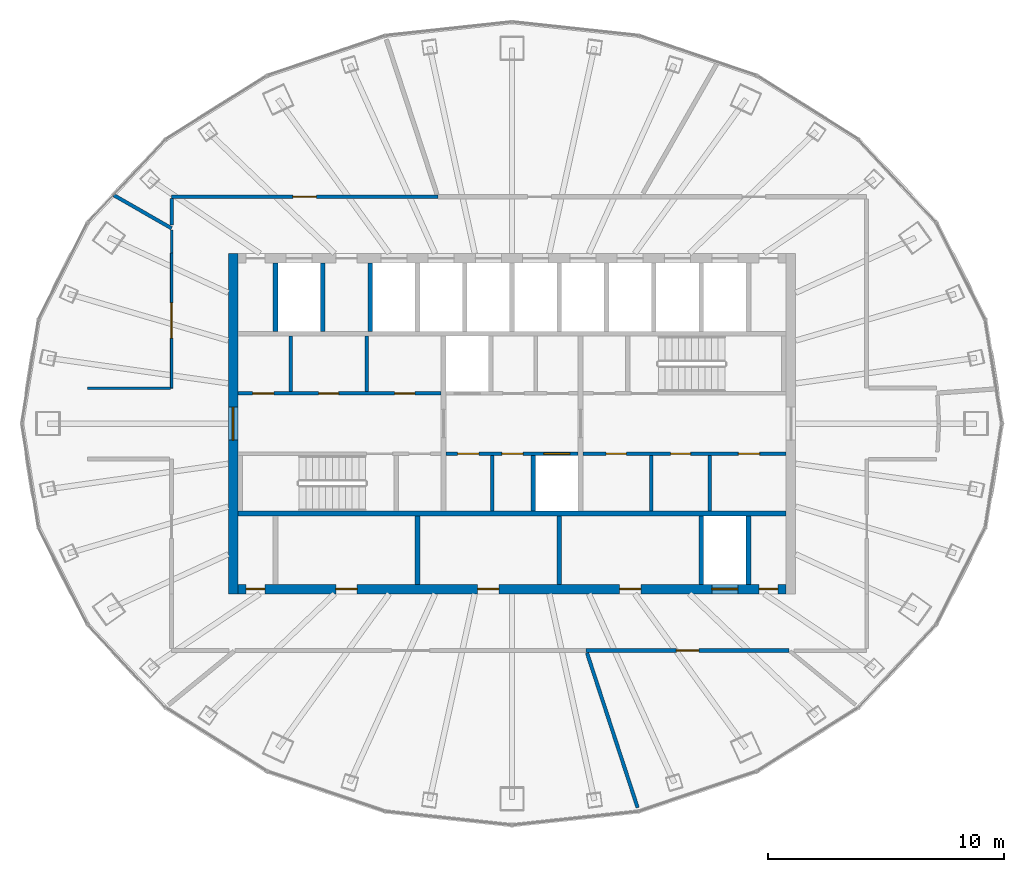
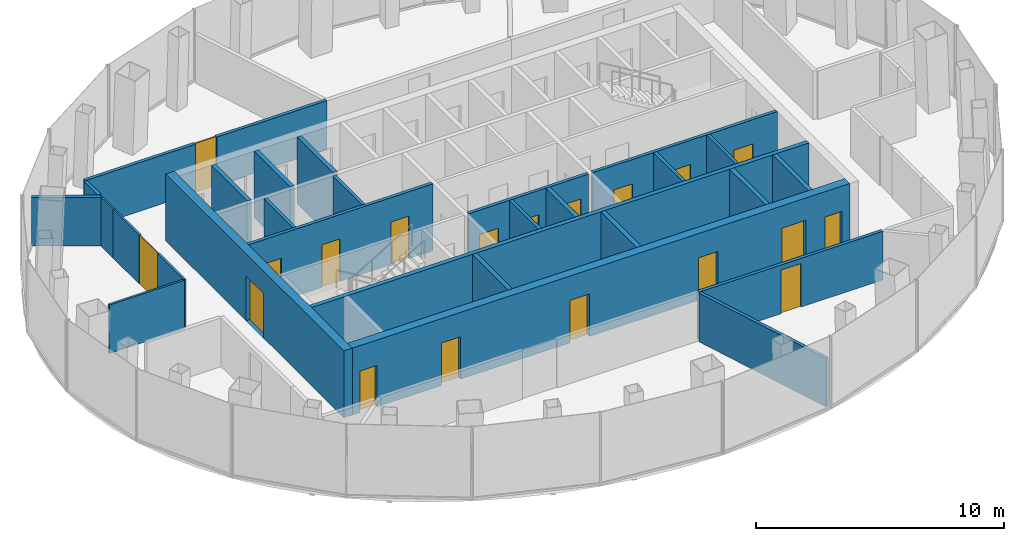
# One storey, part 8 of 11: 27 walls, 19 doors, 19 openings.
"""IFC4 building model written with IfcOpenShell, lengths in metres."""

from ifc_helpers import new_model, si_unit, direction, frame, frame_2d, origin, place, context, subcontext, project, spatial, rectangle, extrude, material, layer, layer_set, type_object, element, fill, save


model = new_model("IFC4")

# Units and contexts
model_context = context("Model", 3, precision=1e-05, world=origin(), true_north=direction((0.0, 1.0)))
body_context = subcontext(model_context, "Body", "Model", "MODEL_VIEW")
ifc_project = project(units=[si_unit("LENGTHUNIT", "METRE"), si_unit("AREAUNIT", "SQUARE_METRE"), si_unit("VOLUMEUNIT", "CUBIC_METRE"), si_unit("PLANEANGLEUNIT", "RADIAN"), si_unit("MASSUNIT", "GRAM", prefix="KILO")], contexts=[model_context])

# Site, building, storey
site_placement = place(None, origin())
site = spatial("IfcSite", under=ifc_project, at=site_placement, CompositionType="ELEMENT")
building_placement = place(site_placement, origin())
building = spatial("IfcBuilding", under=site, at=building_placement, Name="Siaravel Broadcast Tower", CompositionType="ELEMENT")
storey_placement = place(building_placement, frame((0.0, 0.0, 254.10009765625)))
storey = spatial("IfcBuildingStorey", under=building, at=storey_placement, Name="L62", CompositionType="ELEMENT", Elevation=254.10009765625)

# Walls
ifc_material_1 = material(Name="Concrete blockwork", Category="masonry")
ifc_layer_1 = layer(ifc_material_1, 0.14990234375)
ifc_layer_set_1 = layer_set([ifc_layer_1], Name="Concrete blockwork")
wall_type_1 = type_object("IfcWallType", Name="Core partition 150", PredefinedType="PARTITIONING", material=ifc_layer_set_1)
for number, where, z_axis, x_axis, name in (
    (1, (-9.366943359375, 1.35009765625, 0.0), (0.0, 0.0, 1.0), (0.0, 1.0, 0.0), "L62 core partition PNW0"),
    (2, (-6.14599609375, 1.35009765625, 0.0), (0.0, 0.0, 1.0), (0.0, 1.0, 0.0), "L62 core partition PNW1"),
    (3, (5.89697265625, -3.699951171875, 0.0), (0.0, 0.0, 1.0), (0.0, 1.0, 0.0), "L62 core partition PSE0"),
    (4, (8.37109375, -3.699951171875, 0.0), (0.0, 0.0, 1.0), (0.0, 1.0, 0.0), "L62 core partition PSE1"),
    (5, (-0.827392578125, -3.699951171875, 0.0), (0.0, 0.0, 1.0), (0.0, 1.0, 0.0), "L62 core partition PSM0"),
):
    element("IfcWall", number, at=place(storey_placement, frame(where, z_axis=z_axis, x_axis=x_axis)), inside=storey, type_object=wall_type_1, Name=name, PredefinedType="PARTITIONING", context=body_context, shape_type="SweptSolid", body=[
        extrude(rectangle(XDim=2.349853515625, YDim=0.14990234375, at=frame_2d((1.1748046875, 0.0))), origin(), (0.0, 0.0, 1.0), 3.2998046875),
    ])
ifc_layer_2 = layer(ifc_material_1, 0.199951171875)
ifc_layer_set_2 = layer_set([ifc_layer_2], Name="Concrete blockwork")
wall_type_2 = type_object("IfcWallType", Name="Core partition 200", PredefinedType="PARTITIONING", material=ifc_layer_set_2)
for number, where, z_axis, x_axis, name in (
    (6, (-4.0, -6.800048828125, 0.0), (0.0, 0.0, 1.0), (0.0, 1.0, 0.0), "L62 core partition PFS0"),
    (7, (2.0, -6.800048828125, 0.0), (0.0, 0.0, 1.0), (0.0, 1.0, 0.0), "L62 core partition PFS3"),
):
    element("IfcWall", number, at=place(storey_placement, frame(where, z_axis=z_axis, x_axis=x_axis)), inside=storey, type_object=wall_type_2, Name=name, PredefinedType="PARTITIONING", context=body_context, shape_type="SweptSolid", body=[
        extrude(rectangle(XDim=2.900146484375, YDim=0.199951171875, at=frame_2d((1.4501953125, 0.0))), origin(), (0.0, 0.0, 1.0), 3.2998046875),
    ])

# Wall, opening, door
ifc_material_2 = material(Name="Concrete C60/75", Category="concrete")
ifc_layer_3 = layer(ifc_material_2, 0.39990234375)
ifc_layer_set_3 = layer_set([ifc_layer_3], Name="Concrete C60/75")
wall_type_3 = type_object("IfcWallType", Name="Core wall 400", PredefinedType="SHEAR", material=ifc_layer_set_3)
wall_1_placement = place(storey_placement, frame((-11.800048828125, -7.199951171875, 0.0), z_axis=(0.0, 0.0, 1.0), x_axis=(0.0, 1.0, 0.0)))
wall_1 = element("IfcWall", 8, at=wall_1_placement, inside=storey, type_object=wall_type_3, Name="L62 core wall OW", PredefinedType="SHEAR", context=body_context, shape_type="SweptSolid", body=[
    extrude(rectangle(XDim=14.39990234375, YDim=0.39990234375, at=frame_2d((7.199951171875, 0.0))), origin(), (0.0, 0.0, 1.0), 3.2998046875),
])
opening_1_placement = place(wall_1_placement, frame((6.5, 0.0, 0.0)))
opening_1 = element("IfcOpeningElement", 9, at=opening_1_placement, cuts=wall_1, Name="Opening L62-DX-W", PredefinedType="OPENING", context=body_context, shape_type="SweptSolid", body=[
    extrude(rectangle(XDim=1.39990234375, YDim=2.199951171875, at=frame_2d((0.699951171875, 1.10009765625))), frame((0.0, 0.2099609375, 0.0), z_axis=(0.0, -1.0, 0.0), x_axis=(1.0, 0.0, 0.0)), (0.0, 0.0, 1.0), 0.419921875),
])
ifc_material_3 = material(Name="Steel", Category="steel")
door_type_1 = type_object("IfcDoorType", Name="Core exit door 1400", OperationType="DOUBLE_DOOR_SINGLE_SWING", PredefinedType="DOOR", material=ifc_material_3)
door_1_placement = place(opening_1_placement, origin())
door_1 = element("IfcDoor", 10, at=door_1_placement, inside=storey, type_object=door_type_1, Name="L62 door DX-W", OperationType="DOUBLE_DOOR_SINGLE_SWING", OverallHeight=2.199951171875, OverallWidth=1.39990234375, PredefinedType="DOOR", context=body_context, shape_type="SweptSolid", body=[
    extrude(rectangle(XDim=1.39990234375, YDim=2.199951171875, at=frame_2d((0.699951171875, 1.10009765625))), frame((0.0, 0.02490234375, 0.0), z_axis=(0.0, -1.0, 0.0), x_axis=(1.0, 0.0, 0.0)), (0.0, 0.0, 1.0), 0.050048828125),
])
fill(opening_1, door_1)

# Wall, openings, doors
wall_2_placement = place(storey_placement, frame((-11.60009765625, -7.0, 0.0), z_axis=(0.0, 0.0, 1.0), x_axis=(1.0, 0.0, 0.0)))
wall_2 = element("IfcWall", 11, at=wall_2_placement, inside=storey, type_object=wall_type_3, Name="L62 core wall OS", PredefinedType="SHEAR", context=body_context, shape_type="SweptSolid", body=[
    extrude(rectangle(XDim=23.2001953125, YDim=0.39990234375, at=frame_2d((11.60009765625, 0.0))), origin(), (0.0, 0.0, 1.0), 3.2998046875),
])
opening_2_placement = place(wall_2_placement, frame((20.050048828125, 0.0, 0.0)))
opening_2 = element("IfcOpeningElement", 12, at=opening_2_placement, cuts=wall_2, Name="Opening LD-SV1-L62", PredefinedType="OPENING", context=body_context, shape_type="SweptSolid", body=[
    extrude(rectangle(XDim=1.10009765625, YDim=2.199951171875, at=frame_2d((0.550048828125, 1.10009765625))), frame((0.0, 0.2099609375, 0.0), z_axis=(0.0, -1.0, 0.0), x_axis=(1.0, 0.0, 0.0)), (0.0, 0.0, 1.0), 0.419921875),
])
opening_3_placement = place(wall_2_placement, frame((4.14990234375, 0.0, 0.0)))
opening_3 = element("IfcOpeningElement", 13, at=opening_3_placement, cuts=wall_2, Name="Opening L62-DFS0", PredefinedType="OPENING", context=body_context, shape_type="SweptSolid", body=[
    extrude(rectangle(XDim=0.89990234375, YDim=2.10009765625, at=frame_2d((0.449951171875, 1.050048828125))), frame((0.0, 0.2099609375, 0.0), z_axis=(0.0, -1.0, 0.0), x_axis=(1.0, 0.0, 0.0)), (0.0, 0.0, 1.0), 0.419921875),
])
opening_4_placement = place(wall_2_placement, frame((10.14990234375, 0.0, 0.0)))
opening_4 = element("IfcOpeningElement", 14, at=opening_4_placement, cuts=wall_2, Name="Opening L62-DFS3", PredefinedType="OPENING", context=body_context, shape_type="SweptSolid", body=[
    extrude(rectangle(XDim=0.89990234375, YDim=2.10009765625, at=frame_2d((0.449951171875, 1.050048828125))), frame((0.0, 0.2099609375, 0.0), z_axis=(0.0, -1.0, 0.0), x_axis=(1.0, 0.0, 0.0)), (0.0, 0.0, 1.0), 0.419921875),
])
opening_5_placement = place(wall_2_placement, frame((16.14990234375, 0.0, 0.0)))
opening_5 = element("IfcOpeningElement", 15, at=opening_5_placement, cuts=wall_2, Name="Opening L62-DFS6", PredefinedType="OPENING", context=body_context, shape_type="SweptSolid", body=[
    extrude(rectangle(XDim=0.89990234375, YDim=2.10009765625, at=frame_2d((0.449951171875, 1.050048828125))), frame((0.0, 0.2099609375, 0.0), z_axis=(0.0, -1.0, 0.0), x_axis=(1.0, 0.0, 0.0)), (0.0, 0.0, 1.0), 0.419921875),
])
opening_6_placement = place(wall_2_placement, frame((0.35009765625, 0.0, 0.0)))
opening_6 = element("IfcOpeningElement", 16, at=opening_6_placement, cuts=wall_2, Name="Opening L62-DRSW", PredefinedType="OPENING", context=body_context, shape_type="SweptSolid", body=[
    extrude(rectangle(XDim=0.800048828125, YDim=2.050048828125, at=frame_2d((0.39990234375, 1.02490234375))), frame((0.0, 0.2099609375, 0.0), z_axis=(0.0, -1.0, 0.0), x_axis=(1.0, 0.0, 0.0)), (0.0, 0.0, 1.0), 0.419921875),
])
opening_7_placement = place(wall_2_placement, frame((22.050048828125, 0.0, 0.0)))
opening_7 = element("IfcOpeningElement", 17, at=opening_7_placement, cuts=wall_2, Name="Opening L62-DRSE", PredefinedType="OPENING", context=body_context, shape_type="SweptSolid", body=[
    extrude(rectangle(XDim=0.800048828125, YDim=2.050048828125, at=frame_2d((0.39990234375, 1.02490234375))), frame((0.0, 0.2099609375, 0.0), z_axis=(0.0, -1.0, 0.0), x_axis=(1.0, 0.0, 0.0)), (0.0, 0.0, 1.0), 0.419921875),
])
ifc_material_4 = material(Name="Timber veneer", Category="wood")
door_type_2 = type_object("IfcDoorType", Name="Core room door 900", OperationType="SINGLE_SWING_LEFT", PredefinedType="DOOR", material=ifc_material_4)
door_2_placement = place(opening_3_placement, origin())
door_2 = element("IfcDoor", 18, at=door_2_placement, inside=storey, type_object=door_type_2, Name="L62 door DFS0", OperationType="SINGLE_SWING_LEFT", OverallHeight=2.10009765625, OverallWidth=0.89990234375, PredefinedType="DOOR", context=body_context, shape_type="SweptSolid", body=[
    extrude(rectangle(XDim=0.89990234375, YDim=2.10009765625, at=frame_2d((0.449951171875, 1.050048828125))), frame((0.0, 0.02490234375, 0.0), z_axis=(0.0, -1.0, 0.0), x_axis=(1.0, 0.0, 0.0)), (0.0, 0.0, 1.0), 0.050048828125),
])
fill(opening_3, door_2)
door_3_placement = place(opening_4_placement, origin())
door_3 = element("IfcDoor", 19, at=door_3_placement, inside=storey, type_object=door_type_2, Name="L62 door DFS3", OperationType="SINGLE_SWING_LEFT", OverallHeight=2.10009765625, OverallWidth=0.89990234375, PredefinedType="DOOR", context=body_context, shape_type="SweptSolid", body=[
    extrude(rectangle(XDim=0.89990234375, YDim=2.10009765625, at=frame_2d((0.449951171875, 1.050048828125))), frame((0.0, 0.02490234375, 0.0), z_axis=(0.0, -1.0, 0.0), x_axis=(1.0, 0.0, 0.0)), (0.0, 0.0, 1.0), 0.050048828125),
])
fill(opening_4, door_3)
door_4_placement = place(opening_5_placement, origin())
door_4 = element("IfcDoor", 20, at=door_4_placement, inside=storey, type_object=door_type_2, Name="L62 door DFS6", OperationType="SINGLE_SWING_LEFT", OverallHeight=2.10009765625, OverallWidth=0.89990234375, PredefinedType="DOOR", context=body_context, shape_type="SweptSolid", body=[
    extrude(rectangle(XDim=0.89990234375, YDim=2.10009765625, at=frame_2d((0.449951171875, 1.050048828125))), frame((0.0, 0.02490234375, 0.0), z_axis=(0.0, -1.0, 0.0), x_axis=(1.0, 0.0, 0.0)), (0.0, 0.0, 1.0), 0.050048828125),
])
fill(opening_5, door_4)
door_type_3 = type_object("IfcDoorType", Name="Riser door 800", OperationType="SINGLE_SWING_LEFT", PredefinedType="DOOR", material=ifc_material_3)
door_5_placement = place(opening_6_placement, origin())
door_5 = element("IfcDoor", 21, at=door_5_placement, inside=storey, type_object=door_type_3, Name="L62 door DRSW", OperationType="SINGLE_SWING_LEFT", OverallHeight=2.050048828125, OverallWidth=0.800048828125, PredefinedType="DOOR", context=body_context, shape_type="SweptSolid", body=[
    extrude(rectangle(XDim=0.800048828125, YDim=2.050048828125, at=frame_2d((0.39990234375, 1.02490234375))), frame((0.0, 0.02490234375, 0.0), z_axis=(0.0, -1.0, 0.0), x_axis=(1.0, 0.0, 0.0)), (0.0, 0.0, 1.0), 0.050048828125),
])
fill(opening_6, door_5)
door_6_placement = place(opening_7_placement, origin())
door_6 = element("IfcDoor", 22, at=door_6_placement, inside=storey, type_object=door_type_3, Name="L62 door DRSE", OperationType="SINGLE_SWING_LEFT", OverallHeight=2.050048828125, OverallWidth=0.800048828125, PredefinedType="DOOR", context=body_context, shape_type="SweptSolid", body=[
    extrude(rectangle(XDim=0.800048828125, YDim=2.050048828125, at=frame_2d((0.39990234375, 1.02490234375))), frame((0.0, 0.02490234375, 0.0), z_axis=(0.0, -1.0, 0.0), x_axis=(1.0, 0.0, 0.0)), (0.0, 0.0, 1.0), 0.050048828125),
])
fill(opening_7, door_6)
ifc_material_5 = material(Name="Stainless steel 316L", Category="steel")
door_type_4 = type_object("IfcDoorType", Name="Service lift landing door 1100", OperationType="DOUBLE_DOOR_SLIDING", PredefinedType="DOOR", material=ifc_material_5)
door_7_placement = place(opening_2_placement, origin())
door_7 = element("IfcDoor", 23, at=door_7_placement, inside=storey, type_object=door_type_4, Name="Landing door SV1 L62", OperationType="DOUBLE_DOOR_SLIDING", OverallHeight=2.199951171875, OverallWidth=1.10009765625, PredefinedType="DOOR", context=body_context, shape_type="SweptSolid", body=[
    extrude(rectangle(XDim=1.10009765625, YDim=2.199951171875, at=frame_2d((0.550048828125, 1.10009765625))), frame((0.0, 0.02490234375, 0.0), z_axis=(0.0, -1.0, 0.0), x_axis=(1.0, 0.0, 0.0)), (0.0, 0.0, 1.0), 0.050048828125),
])
fill(opening_2, door_7)

ifc_material_6 = material(Name="Gypsum board partition", Category="gypsum")
ifc_layer_4 = layer(ifc_material_6, 0.14990234375)
ifc_layer_set_4 = layer_set([ifc_layer_4], Name="Gypsum board partition")
wall_type_4 = type_object("IfcWallType", Name="Corridor wall 150", PredefinedType="PARTITIONING", material=ifc_layer_set_4)
wall_3_placement = place(storey_placement, frame((3.0, -1.27490234375, 0.0), z_axis=(0.0, 0.0, 1.0), x_axis=(1.0, 0.0, 0.0)))
wall_3 = element("IfcWall", 24, at=wall_3_placement, inside=storey, type_object=wall_type_4, Name="L62 core partition CSE", PredefinedType="PARTITIONING", context=body_context, shape_type="SweptSolid", body=[
    extrude(rectangle(XDim=8.60009765625, YDim=0.14990234375, at=frame_2d((4.300048828125, 0.0))), origin(), (0.0, 0.0, 1.0), 3.2998046875),
])
opening_8_placement = place(wall_3_placement, frame((0.986083984375, 0.0, 0.0)))
opening_8 = element("IfcOpeningElement", 25, at=opening_8_placement, cuts=wall_3, Name="Opening L62-DSE0", PredefinedType="OPENING", context=body_context, shape_type="SweptSolid", body=[
    extrude(rectangle(XDim=0.85009765625, YDim=2.10009765625, at=frame_2d((0.425048828125, 1.050048828125))), frame((0.0, 0.0849609375, 0.0), z_axis=(0.0, -1.0, 0.0), x_axis=(1.0, 0.0, 0.0)), (0.0, 0.0, 1.0), 0.169921875),
])
opening_9_placement = place(wall_3_placement, frame((3.708984375, 0.0, 0.0)))
opening_9 = element("IfcOpeningElement", 26, at=opening_9_placement, cuts=wall_3, Name="Opening L62-DSE1", PredefinedType="OPENING", context=body_context, shape_type="SweptSolid", body=[
    extrude(rectangle(XDim=0.85009765625, YDim=2.10009765625, at=frame_2d((0.425048828125, 1.050048828125))), frame((0.0, 0.0849609375, 0.0), z_axis=(0.0, -1.0, 0.0), x_axis=(1.0, 0.0, 0.0)), (0.0, 0.0, 1.0), 0.169921875),
])
opening_10_placement = place(wall_3_placement, frame((6.572998046875, 0.0, 0.0)))
opening_10 = element("IfcOpeningElement", 27, at=opening_10_placement, cuts=wall_3, Name="Opening L62-DSE2", PredefinedType="OPENING", context=body_context, shape_type="SweptSolid", body=[
    extrude(rectangle(XDim=0.89990234375, YDim=2.10009765625, at=frame_2d((0.449951171875, 1.050048828125))), frame((0.0, 0.0849609375, 0.0), z_axis=(0.0, -1.0, 0.0), x_axis=(1.0, 0.0, 0.0)), (0.0, 0.0, 1.0), 0.169921875),
])
door_8_placement = place(opening_10_placement, origin())
door_8 = element("IfcDoor", 28, at=door_8_placement, inside=storey, type_object=door_type_2, Name="L62 door DSE2", OperationType="SINGLE_SWING_LEFT", OverallHeight=2.10009765625, OverallWidth=0.89990234375, PredefinedType="DOOR", context=body_context, shape_type="SweptSolid", body=[
    extrude(rectangle(XDim=0.89990234375, YDim=2.10009765625, at=frame_2d((0.449951171875, 1.050048828125))), frame((0.0, 0.02490234375, 0.0), z_axis=(0.0, -1.0, 0.0), x_axis=(1.0, 0.0, 0.0)), (0.0, 0.0, 1.0), 0.050048828125),
])
fill(opening_10, door_8)
door_type_5 = type_object("IfcDoorType", Name="Core toilet door 850", OperationType="SINGLE_SWING_LEFT", PredefinedType="DOOR", material=ifc_material_4)
door_9_placement = place(opening_8_placement, origin())
door_9 = element("IfcDoor", 29, at=door_9_placement, inside=storey, type_object=door_type_5, Name="L62 door DSE0", OperationType="SINGLE_SWING_LEFT", OverallHeight=2.10009765625, OverallWidth=0.85009765625, PredefinedType="DOOR", context=body_context, shape_type="SweptSolid", body=[
    extrude(rectangle(XDim=0.85009765625, YDim=2.10009765625, at=frame_2d((0.425048828125, 1.050048828125))), frame((0.0, 0.02490234375, 0.0), z_axis=(0.0, -1.0, 0.0), x_axis=(1.0, 0.0, 0.0)), (0.0, 0.0, 1.0), 0.050048828125),
])
fill(opening_8, door_9)
door_10_placement = place(opening_9_placement, origin())
door_10 = element("IfcDoor", 30, at=door_10_placement, inside=storey, type_object=door_type_5, Name="L62 door DSE1", OperationType="SINGLE_SWING_LEFT", OverallHeight=2.10009765625, OverallWidth=0.85009765625, PredefinedType="DOOR", context=body_context, shape_type="SweptSolid", body=[
    extrude(rectangle(XDim=0.85009765625, YDim=2.10009765625, at=frame_2d((0.425048828125, 1.050048828125))), frame((0.0, 0.02490234375, 0.0), z_axis=(0.0, -1.0, 0.0), x_axis=(1.0, 0.0, 0.0)), (0.0, 0.0, 1.0), 0.050048828125),
])
fill(opening_9, door_10)

wall_4_placement = place(storey_placement, frame((-11.60009765625, 1.27490234375, 0.0), z_axis=(0.0, 0.0, 1.0), x_axis=(1.0, 0.0, 0.0)))
wall_4 = element("IfcWall", 31, at=wall_4_placement, inside=storey, type_object=wall_type_4, Name="L62 core partition CNW", PredefinedType="PARTITIONING", context=body_context, shape_type="SweptSolid", body=[
    extrude(rectangle(XDim=8.60009765625, YDim=0.14990234375, at=frame_2d((4.300048828125, 0.0))), origin(), (0.0, 0.0, 1.0), 3.2998046875),
])
opening_11_placement = place(wall_4_placement, frame((0.62890625, 0.0, 0.0)))
opening_11 = element("IfcOpeningElement", 32, at=opening_11_placement, cuts=wall_4, Name="Opening L62-DNW0", PredefinedType="OPENING", context=body_context, shape_type="SweptSolid", body=[
    extrude(rectangle(XDim=0.89990234375, YDim=2.10009765625, at=frame_2d((0.449951171875, 1.050048828125))), frame((0.0, 0.0849609375, 0.0), z_axis=(0.0, -1.0, 0.0), x_axis=(1.0, 0.0, 0.0)), (0.0, 0.0, 1.0), 0.169921875),
])
opening_12_placement = place(wall_4_placement, frame((3.41845703125, 0.0, 0.0)))
opening_12 = element("IfcOpeningElement", 33, at=opening_12_placement, cuts=wall_4, Name="Opening L62-DNW1", PredefinedType="OPENING", context=body_context, shape_type="SweptSolid", body=[
    extrude(rectangle(XDim=0.85009765625, YDim=2.10009765625, at=frame_2d((0.425048828125, 1.050048828125))), frame((0.0, 0.0849609375, 0.0), z_axis=(0.0, -1.0, 0.0), x_axis=(1.0, 0.0, 0.0)), (0.0, 0.0, 1.0), 0.169921875),
])
opening_13_placement = place(wall_4_placement, frame((6.639404296875, 0.0, 0.0)))
opening_13 = element("IfcOpeningElement", 34, at=opening_13_placement, cuts=wall_4, Name="Opening L62-DNW2", PredefinedType="OPENING", context=body_context, shape_type="SweptSolid", body=[
    extrude(rectangle(XDim=0.85009765625, YDim=2.10009765625, at=frame_2d((0.425048828125, 1.050048828125))), frame((0.0, 0.0849609375, 0.0), z_axis=(0.0, -1.0, 0.0), x_axis=(1.0, 0.0, 0.0)), (0.0, 0.0, 1.0), 0.169921875),
])
door_11_placement = place(opening_11_placement, origin())
door_11 = element("IfcDoor", 35, at=door_11_placement, inside=storey, type_object=door_type_2, Name="L62 door DNW0", OperationType="SINGLE_SWING_LEFT", OverallHeight=2.10009765625, OverallWidth=0.89990234375, PredefinedType="DOOR", context=body_context, shape_type="SweptSolid", body=[
    extrude(rectangle(XDim=0.89990234375, YDim=2.10009765625, at=frame_2d((0.449951171875, 1.050048828125))), frame((0.0, 0.02490234375, 0.0), z_axis=(0.0, -1.0, 0.0), x_axis=(1.0, 0.0, 0.0)), (0.0, 0.0, 1.0), 0.050048828125),
])
fill(opening_11, door_11)
door_12_placement = place(opening_12_placement, origin())
door_12 = element("IfcDoor", 36, at=door_12_placement, inside=storey, type_object=door_type_5, Name="L62 door DNW1", OperationType="SINGLE_SWING_LEFT", OverallHeight=2.10009765625, OverallWidth=0.85009765625, PredefinedType="DOOR", context=body_context, shape_type="SweptSolid", body=[
    extrude(rectangle(XDim=0.85009765625, YDim=2.10009765625, at=frame_2d((0.425048828125, 1.050048828125))), frame((0.0, 0.02490234375, 0.0), z_axis=(0.0, -1.0, 0.0), x_axis=(1.0, 0.0, 0.0)), (0.0, 0.0, 1.0), 0.050048828125),
])
fill(opening_12, door_12)
door_13_placement = place(opening_13_placement, origin())
door_13 = element("IfcDoor", 37, at=door_13_placement, inside=storey, type_object=door_type_5, Name="L62 door DNW2", OperationType="SINGLE_SWING_LEFT", OverallHeight=2.10009765625, OverallWidth=0.85009765625, PredefinedType="DOOR", context=body_context, shape_type="SweptSolid", body=[
    extrude(rectangle(XDim=0.85009765625, YDim=2.10009765625, at=frame_2d((0.425048828125, 1.050048828125))), frame((0.0, 0.02490234375, 0.0), z_axis=(0.0, -1.0, 0.0), x_axis=(1.0, 0.0, 0.0)), (0.0, 0.0, 1.0), 0.050048828125),
])
fill(opening_13, door_13)

# Wall, opening, door
wall_5_placement = place(storey_placement, frame((-3.140380859375, 9.60009765625, 0.0), z_axis=(0.0, 0.0, 1.0), x_axis=(-1.0, 0.0, 0.0)))
wall_5 = element("IfcWall", 38, at=wall_5_placement, inside=storey, type_object=wall_type_4, Name="L62 partition 2", PredefinedType="PARTITIONING", context=body_context, shape_type="SweptSolid", body=[
    extrude(rectangle(XDim=11.259521484375, YDim=0.14990234375, at=frame_2d((5.6298828125, 0.0))), origin(), (0.0, 0.0, 1.0), 2.39990234375),
])
opening_14_placement = place(wall_5_placement, frame((5.1298828125, 0.0, 0.0)))
opening_14 = element("IfcOpeningElement", 39, at=opening_14_placement, cuts=wall_5, Name="Opening L62-007", PredefinedType="OPENING", context=body_context, shape_type="SweptSolid", body=[
    extrude(rectangle(XDim=1.0, YDim=2.39990234375, at=frame_2d((0.5, 1.199951171875))), frame((0.0, 0.0849609375, 0.0), z_axis=(0.0, -1.0, 0.0), x_axis=(1.0, 0.0, 0.0)), (0.0, 0.0, 1.0), 0.169921875),
])
door_type_6 = type_object("IfcDoorType", Name="Executive office door 1000", OperationType="SINGLE_SWING_LEFT", PredefinedType="DOOR", material=ifc_material_4)
door_14_placement = place(opening_14_placement, origin())
door_14 = element("IfcDoor", 40, at=door_14_placement, inside=storey, type_object=door_type_6, Name="L62 door to Executive office", OperationType="SINGLE_SWING_LEFT", OverallHeight=2.39990234375, OverallWidth=1.0, PredefinedType="DOOR", context=body_context, shape_type="SweptSolid", body=[
    extrude(rectangle(XDim=1.0, YDim=2.39990234375, at=frame_2d((0.5, 1.199951171875))), frame((0.0, 0.02490234375, 0.0), z_axis=(0.0, -1.0, 0.0), x_axis=(1.0, 0.0, 0.0)), (0.0, 0.0, 1.0), 0.050048828125),
])
fill(opening_14, door_14)

wall_6_placement = place(storey_placement, frame((3.140380859375, -9.60009765625, 0.0), z_axis=(0.0, 0.0, 1.0), x_axis=(1.0, 0.0, 0.0)))
wall_6 = element("IfcWall", 41, at=wall_6_placement, inside=storey, type_object=wall_type_4, Name="L62 partition 5", PredefinedType="PARTITIONING", context=body_context, shape_type="SweptSolid", body=[
    extrude(rectangle(XDim=8.57958984375, YDim=0.14990234375, at=frame_2d((4.289794921875, 0.0))), origin(), (0.0, 0.0, 1.0), 2.39990234375),
])
opening_15_placement = place(wall_6_placement, frame((3.814697265625, 0.0, 0.0)))
opening_15 = element("IfcOpeningElement", 42, at=opening_15_placement, cuts=wall_6, Name="Opening L62-003", PredefinedType="OPENING", context=body_context, shape_type="SweptSolid", body=[
    extrude(rectangle(XDim=0.949951171875, YDim=2.14990234375, at=frame_2d((0.47509765625, 1.074951171875))), frame((0.0, 0.0849609375, 0.0), z_axis=(0.0, -1.0, 0.0), x_axis=(1.0, 0.0, 0.0)), (0.0, 0.0, 1.0), 0.169921875),
])
door_type_7 = type_object("IfcDoorType", Name="Office door 950", OperationType="SINGLE_SWING_LEFT", PredefinedType="DOOR", material=ifc_material_4)
door_15_placement = place(opening_15_placement, origin())
door_15 = element("IfcDoor", 43, at=door_15_placement, inside=storey, type_object=door_type_7, Name="L62 door to Reception", OperationType="SINGLE_SWING_LEFT", OverallHeight=2.14990234375, OverallWidth=0.949951171875, PredefinedType="DOOR", context=body_context, shape_type="SweptSolid", body=[
    extrude(rectangle(XDim=0.949951171875, YDim=2.14990234375, at=frame_2d((0.47509765625, 1.074951171875))), frame((0.0, 0.02490234375, 0.0), z_axis=(0.0, -1.0, 0.0), x_axis=(1.0, 0.0, 0.0)), (0.0, 0.0, 1.0), 0.050048828125),
])
fill(opening_15, door_15)

# Wall
wall_7_placement = place(storey_placement, frame((-14.39990234375, 9.52294921875, 0.0), z_axis=(0.0, 0.0, 1.0), x_axis=(0.0, -1.0, 0.0)))
element("IfcWall", 44, at=wall_7_placement, inside=storey, type_object=wall_type_4, Name="L62 partition 26", PredefinedType="PARTITIONING", context=body_context, shape_type="SweptSolid", body=[
    extrude(rectangle(XDim=1.132568359375, YDim=0.14990234375, at=frame_2d((0.56640625, 0.0))), origin(), (0.0, 0.0, 1.0), 2.39990234375),
])

# Wall, opening, door
ifc_material_7 = material(Name="Glazed aluminium partition", Category="aluminium")
ifc_layer_5 = layer(ifc_material_7, 0.10009765625)
ifc_layer_set_5 = layer_set([ifc_layer_5], Name="Glazed aluminium partition")
wall_type_5 = type_object("IfcWallType", Name="Glazed meeting room partition 100", PredefinedType="PARTITIONING", material=ifc_layer_set_5)
wall_8_placement = place(storey_placement, frame((-14.39990234375, 7.2119140625, 0.0), z_axis=(0.0, 0.0, 1.0), x_axis=(0.0, -1.0, 0.0)))
wall_8 = element("IfcWall", 45, at=wall_8_placement, inside=storey, type_object=wall_type_5, Name="L62 partition 10", PredefinedType="PARTITIONING", context=body_context, shape_type="SweptSolid", body=[
    extrude(rectangle(XDim=5.7119140625, YDim=0.10009765625, at=frame_2d((2.85595703125, 0.0))), origin(), (0.0, 0.0, 1.0), 2.39990234375),
])
opening_16_placement = place(wall_8_placement, frame((2.10595703125, 0.0, 0.0)))
opening_16 = element("IfcOpeningElement", 46, at=opening_16_placement, cuts=wall_8, Name="Opening L62-008", PredefinedType="OPENING", context=body_context, shape_type="SweptSolid", body=[
    extrude(rectangle(XDim=1.5, YDim=2.39990234375, at=frame_2d((0.75, 1.199951171875))), frame((0.0, 0.06005859375, 0.0), z_axis=(0.0, -1.0, 0.0), x_axis=(1.0, 0.0, 0.0)), (0.0, 0.0, 1.0), 0.1201171875),
])
door_type_8 = type_object("IfcDoorType", Name="Conference double door 1500", OperationType="DOUBLE_DOOR_SINGLE_SWING", PredefinedType="DOOR", material=ifc_material_4)
door_16_placement = place(opening_16_placement, origin())
door_16 = element("IfcDoor", 47, at=door_16_placement, inside=storey, type_object=door_type_8, Name="L62 door to Boardroom", OperationType="DOUBLE_DOOR_SINGLE_SWING", OverallHeight=2.39990234375, OverallWidth=1.5, PredefinedType="DOOR", context=body_context, shape_type="SweptSolid", body=[
    extrude(rectangle(XDim=1.5, YDim=2.39990234375, at=frame_2d((0.75, 1.199951171875))), frame((0.0, 0.02490234375, 0.0), z_axis=(0.0, -1.0, 0.0), x_axis=(1.0, 0.0, 0.0)), (0.0, 0.0, 1.0), 0.050048828125),
])
fill(opening_16, door_16)

# Walls
wall_9_placement = place(storey_placement, frame((-14.451904296875, 1.5, 0.0), z_axis=(0.0, 0.0, 1.0), x_axis=(-1.0, 0.0, 0.0)))
element("IfcWall", 48, at=wall_9_placement, inside=storey, type_object=wall_type_5, Name="L62 partition 16", PredefinedType="PARTITIONING", context=body_context, shape_type="SweptSolid", body=[
    extrude(rectangle(XDim=3.495849609375, YDim=0.10009765625, at=frame_2d((1.748046875, 0.0))), origin(), (0.0, 0.0, 1.0), 2.39990234375),
])
wall_10_placement = place(storey_placement, frame((-14.39990234375, 8.19189453125, 0.0), z_axis=(0.0, 0.0, 1.0), x_axis=(0.0, -1.0, 0.0)))
element("IfcWall", 49, at=wall_10_placement, inside=storey, type_object=wall_type_5, Name="L62 partition 29", PredefinedType="PARTITIONING", context=body_context, shape_type="SweptSolid", body=[
    extrude(rectangle(XDim=0.97900390625, YDim=0.10009765625, at=frame_2d((0.489501953125, 0.0))), origin(), (0.0, 0.0, 1.0), 2.39990234375),
])
ifc_layer_6 = layer(ifc_material_6, 0.14990234375)
ifc_layer_set_6 = layer_set([ifc_layer_6], Name="Gypsum board partition")
wall_type_6 = type_object("IfcWallType", Name="Room partition 150", PredefinedType="PARTITIONING", material=ifc_layer_set_6)
wall_11_placement = place(storey_placement, frame((5.31591796875, -16.250732421875, 0.0), z_axis=(0.0, 0.0, 1.0), x_axis=(-0.310909328, 0.950439577, 0.0)))
element("IfcWall", 50, at=wall_11_placement, inside=storey, type_object=wall_type_6, Name="L62 partition 7", PredefinedType="PARTITIONING", context=body_context, shape_type="SweptSolid", body=[
    extrude(rectangle(XDim=6.89208984375, YDim=0.14990234375, at=frame_2d((3.446044921875, 0.0))), origin(), (0.0, 0.0, 1.0), 2.39990234375),
])
wall_12_placement = place(storey_placement, frame((-16.837890625, 9.657470703125, 0.0), z_axis=(0.0, 0.0, 1.0), x_axis=(0.86742946, -0.497560179, 0.0)))
element("IfcWall", 51, at=wall_12_placement, inside=storey, type_object=wall_type_6, Name="L62 partition 20", PredefinedType="PARTITIONING", context=body_context, shape_type="SweptSolid", body=[
    extrude(rectangle(XDim=2.810546875, YDim=0.14990234375, at=frame_2d((1.4052734375, 0.0))), origin(), (0.0, 0.0, 1.0), 2.39990234375),
])

# Wall, openings, doors
ifc_layer_7 = layer(ifc_material_2, 0.14990234375)
ifc_layer_set_7 = layer_set([ifc_layer_7], Name="Concrete C60/75")
wall_type_7 = type_object("IfcWallType", Name="Shaft wall 150", PredefinedType="SHEAR", material=ifc_layer_set_7)
wall_13_placement = place(storey_placement, frame((-2.800048828125, -1.27490234375, 0.0), z_axis=(0.0, 0.0, 1.0), x_axis=(1.0, 0.0, 0.0)))
wall_13 = element("IfcWall", 52, at=wall_13_placement, inside=storey, type_object=wall_type_7, Name="L62 core wall CSM", PredefinedType="SHEAR", context=body_context, shape_type="SweptSolid", body=[
    extrude(rectangle(XDim=5.60009765625, YDim=0.14990234375, at=frame_2d((2.800048828125, 0.0))), origin(), (0.0, 0.0, 1.0), 3.2998046875),
])
opening_17_placement = place(wall_13_placement, frame((4.14990234375, 0.0, 0.0)))
opening_17 = element("IfcOpeningElement", 53, at=opening_17_placement, cuts=wall_13, Name="Opening LD-FL2-L62", PredefinedType="OPENING", context=body_context, shape_type="SweptSolid", body=[
    extrude(rectangle(XDim=1.10009765625, YDim=2.199951171875, at=frame_2d((0.550048828125, 1.10009765625))), frame((0.0, 0.0849609375, 0.0), z_axis=(0.0, -1.0, 0.0), x_axis=(1.0, 0.0, 0.0)), (0.0, 0.0, 1.0), 0.169921875),
])
opening_18_placement = place(wall_13_placement, frame((0.498779296875, 0.0, 0.0)))
opening_18 = element("IfcOpeningElement", 54, at=opening_18_placement, cuts=wall_13, Name="Opening L62-DSM0", PredefinedType="OPENING", context=body_context, shape_type="SweptSolid", body=[
    extrude(rectangle(XDim=0.89990234375, YDim=2.10009765625, at=frame_2d((0.449951171875, 1.050048828125))), frame((0.0, 0.0849609375, 0.0), z_axis=(0.0, -1.0, 0.0), x_axis=(1.0, 0.0, 0.0)), (0.0, 0.0, 1.0), 0.169921875),
])
opening_19_placement = place(wall_13_placement, frame((2.373779296875, 0.0, 0.0)))
opening_19 = element("IfcOpeningElement", 55, at=opening_19_placement, cuts=wall_13, Name="Opening L62-DSM1", PredefinedType="OPENING", context=body_context, shape_type="SweptSolid", body=[
    extrude(rectangle(XDim=0.89990234375, YDim=2.10009765625, at=frame_2d((0.449951171875, 1.050048828125))), frame((0.0, 0.0849609375, 0.0), z_axis=(0.0, -1.0, 0.0), x_axis=(1.0, 0.0, 0.0)), (0.0, 0.0, 1.0), 0.169921875),
])
door_17_placement = place(opening_18_placement, origin())
door_17 = element("IfcDoor", 56, at=door_17_placement, inside=storey, type_object=door_type_2, Name="L62 door DSM0", OperationType="SINGLE_SWING_LEFT", OverallHeight=2.10009765625, OverallWidth=0.89990234375, PredefinedType="DOOR", context=body_context, shape_type="SweptSolid", body=[
    extrude(rectangle(XDim=0.89990234375, YDim=2.10009765625, at=frame_2d((0.449951171875, 1.050048828125))), frame((0.0, 0.02490234375, 0.0), z_axis=(0.0, -1.0, 0.0), x_axis=(1.0, 0.0, 0.0)), (0.0, 0.0, 1.0), 0.050048828125),
])
fill(opening_18, door_17)
door_18_placement = place(opening_19_placement, origin())
door_18 = element("IfcDoor", 57, at=door_18_placement, inside=storey, type_object=door_type_2, Name="L62 door DSM1", OperationType="SINGLE_SWING_LEFT", OverallHeight=2.10009765625, OverallWidth=0.89990234375, PredefinedType="DOOR", context=body_context, shape_type="SweptSolid", body=[
    extrude(rectangle(XDim=0.89990234375, YDim=2.10009765625, at=frame_2d((0.449951171875, 1.050048828125))), frame((0.0, 0.02490234375, 0.0), z_axis=(0.0, -1.0, 0.0), x_axis=(1.0, 0.0, 0.0)), (0.0, 0.0, 1.0), 0.050048828125),
])
fill(opening_19, door_18)
door_type_9 = type_object("IfcDoorType", Name="Firefighting lift landing door 1100", OperationType="DOUBLE_DOOR_SLIDING", PredefinedType="DOOR", material=ifc_material_5)
door_19_placement = place(opening_17_placement, origin())
door_19 = element("IfcDoor", 58, at=door_19_placement, inside=storey, type_object=door_type_9, Name="Landing door FL2 L62", OperationType="DOUBLE_DOOR_SLIDING", OverallHeight=2.199951171875, OverallWidth=1.10009765625, PredefinedType="DOOR", context=body_context, shape_type="SweptSolid", body=[
    extrude(rectangle(XDim=1.10009765625, YDim=2.199951171875, at=frame_2d((0.550048828125, 1.10009765625))), frame((0.0, 0.02490234375, 0.0), z_axis=(0.0, -1.0, 0.0), x_axis=(1.0, 0.0, 0.0)), (0.0, 0.0, 1.0), 0.050048828125),
])
fill(opening_17, door_19)

# Walls
ifc_layer_8 = layer(ifc_material_2, 0.199951171875)
ifc_layer_set_8 = layer_set([ifc_layer_8], Name="Concrete C60/75")
wall_type_8 = type_object("IfcWallType", Name="Shaft wall 200", PredefinedType="SHEAR", material=ifc_layer_set_8)
wall_14_placement = place(storey_placement, frame((-11.60009765625, -3.800048828125, 0.0), z_axis=(0.0, 0.0, 1.0), x_axis=(1.0, 0.0, 0.0)))
element("IfcWall", 59, at=wall_14_placement, inside=storey, type_object=wall_type_8, Name="L62 core wall BS", PredefinedType="SHEAR", context=body_context, shape_type="SweptSolid", body=[
    extrude(rectangle(XDim=23.2001953125, YDim=0.199951171875, at=frame_2d((11.60009765625, 0.0))), origin(), (0.0, 0.0, 1.0), 3.2998046875),
])
for number, where, z_axis, x_axis, name in (
    (60, (8.0, -6.800048828125, 0.0), (0.0, 0.0, 1.0), (0.0, 1.0, 0.0), "L62 core wall SWS9"),
    (61, (10.0, -6.800048828125, 0.0), (0.0, 0.0, 1.0), (0.0, 1.0, 0.0), "L62 core wall SWS10"),
    (62, (-10.0, 3.89990234375, 0.0), (0.0, 0.0, 1.0), (0.0, 1.0, 0.0), "L62 core wall SWN0"),
    (63, (-8.0, 3.89990234375, 0.0), (0.0, 0.0, 1.0), (0.0, 1.0, 0.0), "L62 core wall SWN1"),
    (64, (-6.0, 3.89990234375, 0.0), (0.0, 0.0, 1.0), (0.0, 1.0, 0.0), "L62 core wall SWN2"),
):
    element("IfcWall", number, at=place(storey_placement, frame(where, z_axis=z_axis, x_axis=x_axis)), inside=storey, type_object=wall_type_8, Name=name, PredefinedType="SHEAR", context=body_context, shape_type="SweptSolid", body=[
        extrude(rectangle(XDim=2.900146484375, YDim=0.199951171875, at=frame_2d((1.4501953125, 0.0))), origin(), (0.0, 0.0, 1.0), 3.2998046875),
    ])
wall_15_placement = place(storey_placement, frame((0.89990234375, -3.699951171875, 0.0), z_axis=(0.0, 0.0, 1.0), x_axis=(0.0, 1.0, 0.0)))
element("IfcWall", 65, at=wall_15_placement, inside=storey, type_object=wall_type_8, Name="L62 core wall FF2W", PredefinedType="SHEAR", context=body_context, shape_type="SweptSolid", body=[
    extrude(rectangle(XDim=2.349853515625, YDim=0.199951171875, at=frame_2d((1.1748046875, 0.0))), origin(), (0.0, 0.0, 1.0), 3.2998046875),
])

save(model, "model.ifc")
